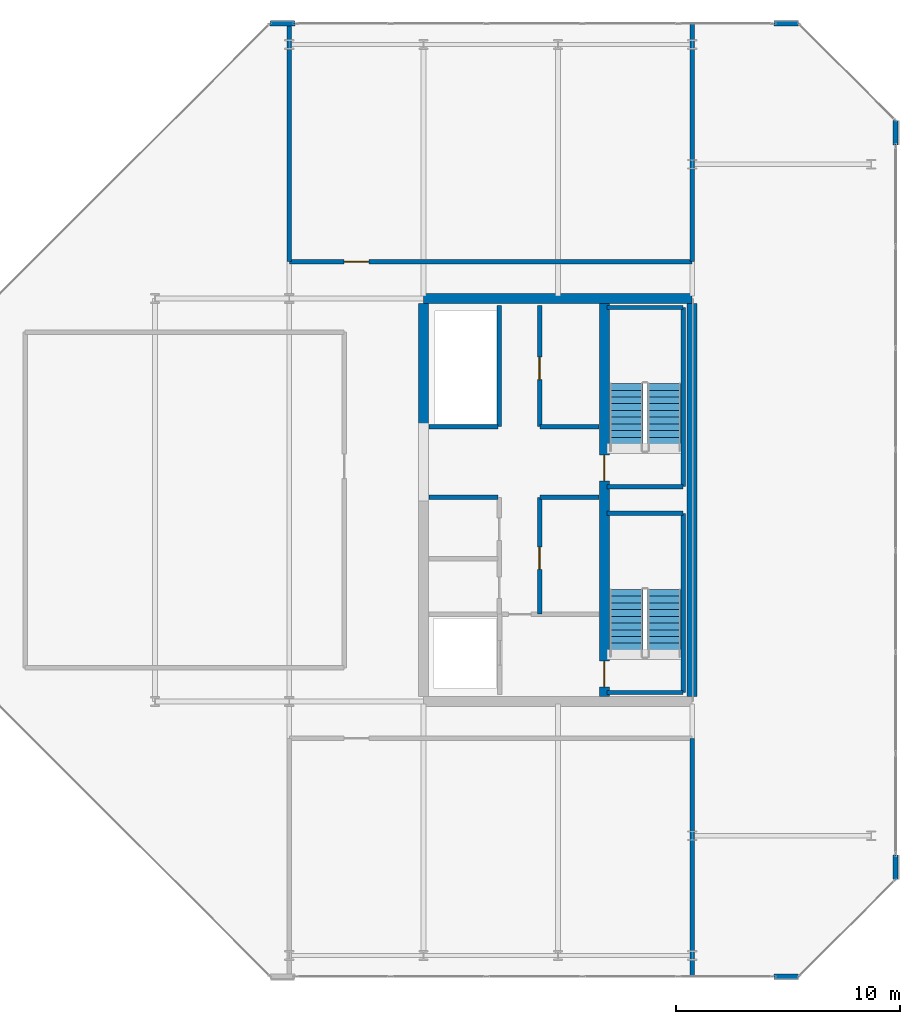
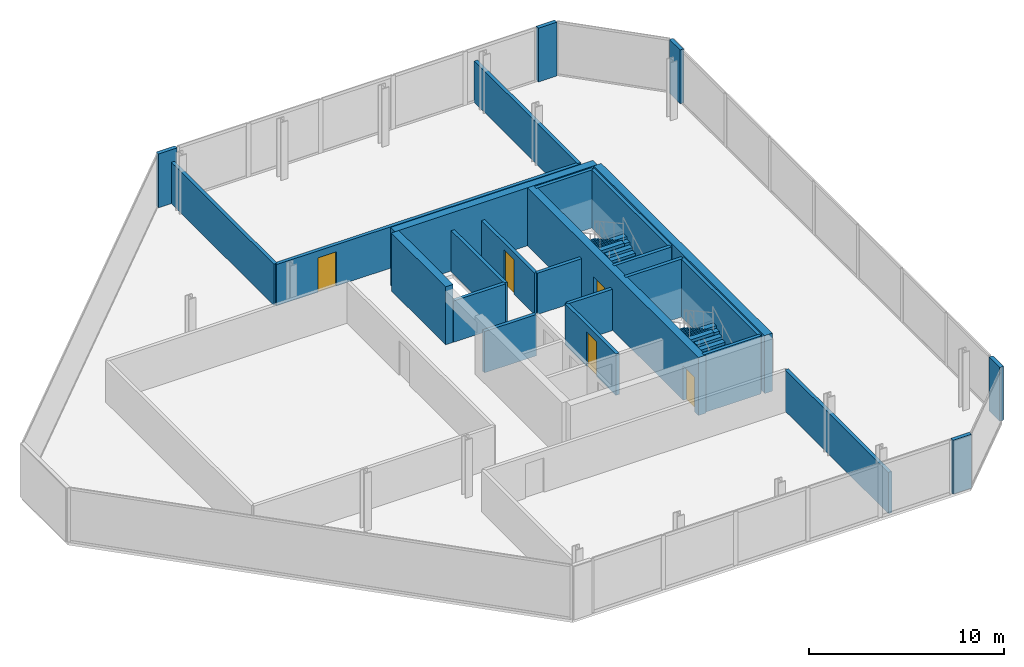
# One storey, part 14 of 16: 26 walls, 5 doors, 4 stair flights, 5 openings, 2 elements without a shape of their own.
"""IFC4 building model written with IfcOpenShell, lengths in metres."""

from ifc_helpers import new_model, si_unit, direction, frame, frame_2d, origin, place, context, subcontext, project, spatial, polyline, rectangle, outline, extrude, material, layer, layer_set, type_object, element, fill, aggregate, save


model = new_model("IFC4")

# Units and contexts
model_context = context("Model", 3, precision=1e-05, world=origin(), true_north=direction((0.0, 1.0)))
body_context = subcontext(model_context, "Body", "Model", "MODEL_VIEW")
ifc_project = project(units=[si_unit("LENGTHUNIT", "METRE"), si_unit("AREAUNIT", "SQUARE_METRE"), si_unit("VOLUMEUNIT", "CUBIC_METRE"), si_unit("PLANEANGLEUNIT", "RADIAN"), si_unit("MASSUNIT", "GRAM", prefix="KILO")], contexts=[model_context])

# Site, building, storey
site_placement = place(None, origin())
site = spatial("IfcSite", under=ifc_project, at=site_placement, CompositionType="ELEMENT")
building_placement = place(site_placement, origin())
building = spatial("IfcBuilding", under=site, at=building_placement, Name="Tanjung Sevakor Pilgrim Tower", CompositionType="ELEMENT")
storey_placement = place(building_placement, frame((0.0, 0.0, 275.219970703125)))
storey = spatial("IfcBuildingStorey", under=building, at=storey_placement, Name="L77", CompositionType="ELEMENT", Elevation=275.219970703125)

# Walls
ifc_material_1 = material(Name="Concrete C60/75", Category="concrete")
ifc_layer_1 = layer(ifc_material_1, 0.449951171875)
ifc_layer_set_1 = layer_set([ifc_layer_1], Name="WALL-CW-450")
wall_type_1 = type_object("IfcWallType", Name="WALL-CW-450", PredefinedType="SHEAR", material=ifc_layer_set_1)
wall_1_placement = place(storey_placement, frame((90.0, 42.60009765625, 0.0), z_axis=(0.0, 0.0, 1.0), x_axis=(-1.0, 0.0, 0.0)))
element("IfcWall", 1, at=wall_1_placement, inside=storey, type_object=wall_type_1, Name="L77 E Core North Shear Wall", PredefinedType="SHEAR", context=body_context, shape_type="SweptSolid", body=[
    extrude(rectangle(XDim=12.0, YDim=0.449951171875, at=frame_2d((6.0, 0.0))), origin(), (0.0, 0.0, 1.0), 3.630126953125),
])
wall_2_placement = place(storey_placement, frame((90.0, 24.824951171875, 0.0), z_axis=(0.0, 0.0, 1.0), x_axis=(0.0, 1.0, 0.0)))
element("IfcWall", 2, at=wall_2_placement, inside=storey, type_object=wall_type_1, Name="L77 E Core Outer Shear Wall", PredefinedType="SHEAR", context=body_context, shape_type="SweptSolid", body=[
    extrude(rectangle(XDim=17.550048828125, YDim=0.449951171875, at=frame_2d((8.77490234375, 0.0))), origin(), (0.0, 0.0, 1.0), 3.630126953125),
])
wall_3_placement = place(storey_placement, frame((78.0, 36.800048828125, 0.0), z_axis=(0.0, 0.0, 1.0), x_axis=(0.0, 1.0, 0.0)))
element("IfcWall", 3, at=wall_3_placement, inside=storey, type_object=wall_type_1, Name="L77 E Core Inner Shear Wall North", PredefinedType="SHEAR", context=body_context, shape_type="SweptSolid", body=[
    extrude(rectangle(XDim=5.574951171875, YDim=0.449951171875, at=frame_2d((2.78759765625, 0.0))), origin(), (0.0, 0.0, 1.0), 3.630126953125),
])

# Wall, openings, doors
wall_4_placement = place(storey_placement, frame((86.074951171875, 24.824951171875, 0.0), z_axis=(0.0, 0.0, 1.0), x_axis=(0.0, 1.0, 0.0)))
wall_4 = element("IfcWall", 4, at=wall_4_placement, inside=storey, type_object=wall_type_1, Name="L77 E Core Stair Spine Wall", PredefinedType="SHEAR", context=body_context, shape_type="SweptSolid", body=[
    extrude(rectangle(XDim=17.550048828125, YDim=0.449951171875, at=frame_2d((8.77490234375, 0.0))), origin(), (0.0, 0.0, 1.0), 3.630126953125),
])
opening_1_placement = place(wall_4_placement, frame((0.425048828125, 0.0, 0.0)))
opening_1 = element("IfcOpeningElement", 5, at=opening_1_placement, cuts=wall_4, Name="Opening ID-ST1", PredefinedType="OPENING", context=body_context, shape_type="SweptSolid", body=[
    extrude(rectangle(XDim=1.14990234375, YDim=2.14990234375, at=frame_2d((0.574951171875, 1.074951171875))), frame((0.0, 0.23486328125, 0.0), z_axis=(0.0, -1.0, 0.0), x_axis=(1.0, 0.0, 0.0)), (0.0, 0.0, 1.0), 0.469970703125),
])
opening_2_placement = place(wall_4_placement, frame((9.625, 0.0, 0.0)))
opening_2 = element("IfcOpeningElement", 6, at=opening_2_placement, cuts=wall_4, Name="Opening ID-ST1", PredefinedType="OPENING", context=body_context, shape_type="SweptSolid", body=[
    extrude(rectangle(XDim=1.14990234375, YDim=2.14990234375, at=frame_2d((0.574951171875, 1.074951171875))), frame((0.0, 0.23486328125, 0.0), z_axis=(0.0, -1.0, 0.0), x_axis=(1.0, 0.0, 0.0)), (0.0, 0.0, 1.0), 0.469970703125),
])
ifc_material_2 = material(Name="Fire-Rated Steel S355J2", Category="steel")
door_type_1 = type_object("IfcDoorType", Name="DT-FIRE-1150", OperationType="NOTDEFINED", PredefinedType="DOOR", material=ifc_material_2)
door_1_placement = place(opening_1_placement, origin())
door_1 = element("IfcDoor", 7, at=door_1_placement, inside=storey, type_object=door_type_1, Name="L77 TS-E1 Stair Fire Door", OperationType="SINGLE_SWING_LEFT", OverallHeight=2.14990234375, OverallWidth=1.14990234375, PredefinedType="DOOR", context=body_context, shape_type="SweptSolid", body=[
    extrude(rectangle(XDim=1.14990234375, YDim=2.14990234375, at=frame_2d((0.574951171875, 1.074951171875))), frame((0.0, 0.02490234375, 0.0), z_axis=(0.0, -1.0, 0.0), x_axis=(1.0, 0.0, 0.0)), (0.0, 0.0, 1.0), 0.050048828125),
])
fill(opening_1, door_1)
door_2_placement = place(opening_2_placement, origin())
door_2 = element("IfcDoor", 8, at=door_2_placement, inside=storey, type_object=door_type_1, Name="L77 TS-E2 Stair Fire Door", OperationType="SINGLE_SWING_RIGHT", OverallHeight=2.14990234375, OverallWidth=1.14990234375, PredefinedType="DOOR", context=body_context, shape_type="SweptSolid", body=[
    extrude(rectangle(XDim=1.14990234375, YDim=2.14990234375, at=frame_2d((0.574951171875, 1.074951171875))), frame((0.0, 0.02490234375, 0.0), z_axis=(0.0, -1.0, 0.0), x_axis=(1.0, 0.0, 0.0)), (0.0, 0.0, 1.0), 0.050048828125),
])
fill(opening_2, door_2)

# Walls
ifc_material_3 = material(Name="Precast concrete C45/55", Category="concrete")
ifc_layer_2 = layer(ifc_material_3, 0.219970703125)
ifc_layer_set_2 = layer_set([ifc_layer_2], Name="WT-EW-STN4")
wall_type_2 = type_object("IfcWallType", Name="WT-EW-STN4", PredefinedType="SOLIDWALL", material=ifc_layer_set_2)
for number, where, z_axis, x_axis, name in (
    (9, (93.654296875, 12.31005859375, 0.0), (0.0, 0.0, 1.0), (1.0, 0.0, 0.0), "L77 EAST Crown Pier 0-1B"),
    (10, (99.090087890625, 16.6455078125, 0.0), (0.0, 0.0, 1.0), (0.0, 1.0, 0.0), "L77 EAST Crown Pier 2-1A"),
    (11, (99.090087890625, 49.454345703125, 0.0), (0.0, 0.0, 1.0), (0.0, 1.0, 0.0), "L77 EAST Crown Pier 2-1B"),
    (12, (94.75439453125, 54.889892578125, 0.0), (0.0, 0.0, 1.0), (-1.0, 0.0, 0.0), "L77 EAST Crown Pier 4-1A"),
    (13, (72.24560546875, 54.889892578125, 0.0), (0.0, 0.0, 1.0), (-1.0, 0.0, 0.0), "L77 EAST Crown Pier 4-1B"),
):
    element("IfcWall", number, at=place(storey_placement, frame(where, z_axis=z_axis, x_axis=x_axis)), inside=storey, type_object=wall_type_2, Name=name, PredefinedType="SOLIDWALL", context=body_context, shape_type="SweptSolid", body=[
        extrude(rectangle(XDim=1.10009765625, YDim=0.219970703125, at=frame_2d((0.550048828125, 0.0))), origin(), (0.0, 0.0, 1.0), 3.3701171875),
    ])
ifc_material_4 = material(Name="Concrete C40/50", Category="concrete")
ifc_layer_3 = layer(ifc_material_4, 0.199951171875)
ifc_layer_set_3 = layer_set([ifc_layer_3], Name="WT-FIRE-200")
wall_type_3 = type_object("IfcWallType", Name="WT-FIRE-200", PredefinedType="SOLIDWALL", material=ifc_layer_set_3)
wall_5_placement = place(storey_placement, frame((86.199951171875, 25.0, 0.0), z_axis=(0.0, 0.0, 1.0), x_axis=(1.0, 0.0, 0.0)))
element("IfcWall", 14, at=wall_5_placement, inside=storey, type_object=wall_type_3, Name="L77 TS-E1 Shaft Wall 1", PredefinedType="SOLIDWALL", context=body_context, shape_type="SweptSolid", body=[
    extrude(rectangle(XDim=3.400146484375, YDim=0.199951171875, at=frame_2d((1.7001953125, 0.0))), origin(), (0.0, 0.0, 1.0), 3.630126953125),
])
wall_6_placement = place(storey_placement, frame((89.60009765625, 25.0, 0.0), z_axis=(0.0, 0.0, 1.0), x_axis=(0.0, 1.0, 0.0)))
element("IfcWall", 15, at=wall_6_placement, inside=storey, type_object=wall_type_3, Name="L77 TS-E1 Shaft Wall 2", PredefinedType="SOLIDWALL", context=body_context, shape_type="SweptSolid", body=[
    extrude(rectangle(XDim=8.0, YDim=0.199951171875, at=frame_2d((4.0, 0.0))), origin(), (0.0, 0.0, 1.0), 3.630126953125),
])
for number, where, z_axis, x_axis, name in (
    (16, (89.60009765625, 33.0, 0.0), (0.0, 0.0, 1.0), (-1.0, 0.0, 0.0), "L77 TS-E1 Shaft Wall 3"),
    (17, (86.199951171875, 34.199951171875, 0.0), (0.0, 0.0, 1.0), (1.0, 0.0, 0.0), "L77 TS-E2 Shaft Wall 1"),
):
    element("IfcWall", number, at=place(storey_placement, frame(where, z_axis=z_axis, x_axis=x_axis)), inside=storey, type_object=wall_type_3, Name=name, PredefinedType="SOLIDWALL", context=body_context, shape_type="SweptSolid", body=[
        extrude(rectangle(XDim=3.400146484375, YDim=0.199951171875, at=frame_2d((1.7001953125, 0.0))), origin(), (0.0, 0.0, 1.0), 3.630126953125),
    ])
wall_7_placement = place(storey_placement, frame((89.60009765625, 34.199951171875, 0.0), z_axis=(0.0, 0.0, 1.0), x_axis=(0.0, 1.0, 0.0)))
element("IfcWall", 18, at=wall_7_placement, inside=storey, type_object=wall_type_3, Name="L77 TS-E2 Shaft Wall 2", PredefinedType="SOLIDWALL", context=body_context, shape_type="SweptSolid", body=[
    extrude(rectangle(XDim=8.0, YDim=0.199951171875, at=frame_2d((4.0, 0.0))), origin(), (0.0, 0.0, 1.0), 3.630126953125),
])
wall_8_placement = place(storey_placement, frame((89.60009765625, 42.199951171875, 0.0), z_axis=(0.0, 0.0, 1.0), x_axis=(-1.0, 0.0, 0.0)))
element("IfcWall", 19, at=wall_8_placement, inside=storey, type_object=wall_type_3, Name="L77 TS-E2 Shaft Wall 3", PredefinedType="SOLIDWALL", context=body_context, shape_type="SweptSolid", body=[
    extrude(rectangle(XDim=3.400146484375, YDim=0.199951171875, at=frame_2d((1.7001953125, 0.0))), origin(), (0.0, 0.0, 1.0), 3.630126953125),
])
ifc_material_5 = material(Name="Concrete C40/50", Category="concrete")
ifc_layer_4 = layer(ifc_material_5, 0.199951171875)
ifc_layer_set_4 = layer_set([ifc_layer_4], Name="WT-FPRT-200")
wall_type_4 = type_object("IfcWallType", Name="WT-FPRT-200", PredefinedType="SOLIDWALL", material=ifc_layer_set_4)
wall_9_placement = place(storey_placement, frame((83.199951171875, 33.719970703125, 0.0), z_axis=(0.0, 0.0, 1.0), x_axis=(1.0, 0.0, 0.0)))
element("IfcWall", 20, at=wall_9_placement, inside=storey, type_object=wall_type_4, Name="L77 Partition IW-L77-003", PredefinedType="SOLIDWALL", context=body_context, shape_type="SweptSolid", body=[
    extrude(rectangle(XDim=2.630126953125, YDim=0.199951171875, at=frame_2d((1.31494140625, 0.0))), origin(), (0.0, 0.0, 1.0), 2.590087890625),
])

# Wall, opening, door
wall_10_placement = place(storey_placement, frame((83.179931640625, 28.5, 0.0), z_axis=(0.0, 0.0, 1.0), x_axis=(0.0, 1.0, 0.0)))
wall_10 = element("IfcWall", 21, at=wall_10_placement, inside=storey, type_object=wall_type_4, Name="L77 Partition IW-L77-004", PredefinedType="SOLIDWALL", context=body_context, shape_type="SweptSolid", body=[
    extrude(rectangle(XDim=5.219970703125, YDim=0.199951171875, at=frame_2d((2.60986328125, 0.0))), origin(), (0.0, 0.0, 1.0), 2.590087890625),
])
opening_3_placement = place(wall_10_placement, frame((2.0, 0.0, 0.0)))
opening_3 = element("IfcOpeningElement", 22, at=opening_3_placement, cuts=wall_10, Name="Opening ID-FD1", PredefinedType="OPENING", context=body_context, shape_type="SweptSolid", body=[
    extrude(rectangle(XDim=1.0, YDim=2.14990234375, at=frame_2d((0.5, 1.074951171875))), frame((0.0, 0.10986328125, 0.0), z_axis=(0.0, -1.0, 0.0), x_axis=(1.0, 0.0, 0.0)), (0.0, 0.0, 1.0), 0.219970703125),
])
ifc_material_6 = material(Name="Fire-Rated Steel S355J2", Category="steel")
door_type_2 = type_object("IfcDoorType", Name="DT-FIRE-1000", OperationType="NOTDEFINED", PredefinedType="DOOR", material=ifc_material_6)
door_3_placement = place(opening_3_placement, origin())
door_3 = element("IfcDoor", 23, at=door_3_placement, inside=storey, type_object=door_type_2, Name="L77 Core Plant Door", OperationType="SINGLE_SWING_LEFT", OverallHeight=2.14990234375, OverallWidth=1.0, PredefinedType="DOOR", context=body_context, shape_type="SweptSolid", body=[
    extrude(rectangle(XDim=1.0, YDim=2.14990234375, at=frame_2d((0.5, 1.074951171875))), frame((0.0, 0.02490234375, 0.0), z_axis=(0.0, -1.0, 0.0), x_axis=(1.0, 0.0, 0.0)), (0.0, 0.0, 1.0), 0.050048828125),
])
fill(opening_3, door_3)

# Walls
wall_11_placement = place(storey_placement, frame((78.2451171875, 33.719970703125, 0.0), z_axis=(0.0, 0.0, 1.0), x_axis=(1.0, 0.0, 0.0)))
element("IfcWall", 24, at=wall_11_placement, inside=storey, type_object=wall_type_4, Name="L77 Partition IW-L77-006", PredefinedType="SOLIDWALL", context=body_context, shape_type="SweptSolid", body=[
    extrude(rectangle(XDim=3.074951171875, YDim=0.199951171875, at=frame_2d((1.53759765625, 0.0))), origin(), (0.0, 0.0, 1.0), 2.590087890625),
])
wall_12_placement = place(storey_placement, frame((83.199951171875, 36.8798828125, 0.0), z_axis=(0.0, 0.0, 1.0), x_axis=(1.0, 0.0, 0.0)))
element("IfcWall", 25, at=wall_12_placement, inside=storey, type_object=wall_type_4, Name="L77 Partition IW-L77-008", PredefinedType="SOLIDWALL", context=body_context, shape_type="SweptSolid", body=[
    extrude(rectangle(XDim=2.630126953125, YDim=0.199951171875, at=frame_2d((1.31494140625, 0.0))), origin(), (0.0, 0.0, 1.0), 2.590087890625),
])

# Wall, opening, door
wall_13_placement = place(storey_placement, frame((83.179931640625, 36.8798828125, 0.0), z_axis=(0.0, 0.0, 1.0), x_axis=(0.0, 1.0, 0.0)))
wall_13 = element("IfcWall", 26, at=wall_13_placement, inside=storey, type_object=wall_type_4, Name="L77 Partition IW-L77-009", PredefinedType="SOLIDWALL", context=body_context, shape_type="SweptSolid", body=[
    extrude(rectangle(XDim=5.420166015625, YDim=0.199951171875, at=frame_2d((2.7099609375, 0.0))), origin(), (0.0, 0.0, 1.0), 2.590087890625),
])
opening_4_placement = place(wall_13_placement, frame((2.10009765625, 0.0, 0.0)))
opening_4 = element("IfcOpeningElement", 27, at=opening_4_placement, cuts=wall_13, Name="Opening ID-FD1", PredefinedType="OPENING", context=body_context, shape_type="SweptSolid", body=[
    extrude(rectangle(XDim=1.0, YDim=2.14990234375, at=frame_2d((0.5, 1.074951171875))), frame((0.0, 0.10986328125, 0.0), z_axis=(0.0, -1.0, 0.0), x_axis=(1.0, 0.0, 0.0)), (0.0, 0.0, 1.0), 0.219970703125),
])
door_4_placement = place(opening_4_placement, origin())
door_4 = element("IfcDoor", 28, at=door_4_placement, inside=storey, type_object=door_type_2, Name="L77 Core Switchroom Door", OperationType="SINGLE_SWING_RIGHT", OverallHeight=2.14990234375, OverallWidth=1.0, PredefinedType="DOOR", context=body_context, shape_type="SweptSolid", body=[
    extrude(rectangle(XDim=1.0, YDim=2.14990234375, at=frame_2d((0.5, 1.074951171875))), frame((0.0, 0.02490234375, 0.0), z_axis=(0.0, -1.0, 0.0), x_axis=(1.0, 0.0, 0.0)), (0.0, 0.0, 1.0), 0.050048828125),
])
fill(opening_4, door_4)

# Walls
wall_14_placement = place(storey_placement, frame((78.2451171875, 36.8798828125, 0.0), z_axis=(0.0, 0.0, 1.0), x_axis=(1.0, 0.0, 0.0)))
element("IfcWall", 29, at=wall_14_placement, inside=storey, type_object=wall_type_4, Name="L77 Partition IW-L77-010", PredefinedType="SOLIDWALL", context=body_context, shape_type="SweptSolid", body=[
    extrude(rectangle(XDim=3.074951171875, YDim=0.199951171875, at=frame_2d((1.53759765625, 0.0))), origin(), (0.0, 0.0, 1.0), 2.590087890625),
])
wall_15_placement = place(storey_placement, frame((81.3798828125, 36.8798828125, 0.0), z_axis=(0.0, 0.0, 1.0), x_axis=(0.0, 1.0, 0.0)))
element("IfcWall", 30, at=wall_15_placement, inside=storey, type_object=wall_type_4, Name="L77 Partition IW-L77-011", PredefinedType="SOLIDWALL", context=body_context, shape_type="SweptSolid", body=[
    extrude(rectangle(XDim=5.420166015625, YDim=0.199951171875, at=frame_2d((2.7099609375, 0.0))), origin(), (0.0, 0.0, 1.0), 2.590087890625),
])
wall_16_placement = place(storey_placement, frame((90.0, 12.340087890625, 0.0), z_axis=(0.0, 0.0, 1.0), x_axis=(0.0, 1.0, 0.0)))
element("IfcWall", 31, at=wall_16_placement, inside=storey, type_object=wall_type_4, Name="L77 Partition IW-L77-018", PredefinedType="SOLIDWALL", context=body_context, shape_type="SweptSolid", body=[
    extrude(rectangle(XDim=10.60986328125, YDim=0.199951171875, at=frame_2d((5.304931640625, 0.0))), origin(), (0.0, 0.0, 1.0), 2.590087890625),
])

# Wall, opening, door
wall_17_placement = place(storey_placement, frame((72.0, 44.25, 0.0), z_axis=(0.0, 0.0, 1.0), x_axis=(1.0, 0.0, 0.0)))
wall_17 = element("IfcWall", 32, at=wall_17_placement, inside=storey, type_object=wall_type_4, Name="L77 Partition IW-L77-019", PredefinedType="SOLIDWALL", context=body_context, shape_type="SweptSolid", body=[
    extrude(rectangle(XDim=18.0, YDim=0.199951171875, at=frame_2d((9.0, 0.0))), origin(), (0.0, 0.0, 1.0), 2.590087890625),
])
opening_5_placement = place(wall_17_placement, frame((2.449951171875, 0.0, 0.0)))
opening_5 = element("IfcOpeningElement", 33, at=opening_5_placement, cuts=wall_17, Name="Opening ID-FD0", PredefinedType="OPENING", context=body_context, shape_type="SweptSolid", body=[
    extrude(rectangle(XDim=1.10009765625, YDim=2.14990234375, at=frame_2d((0.550048828125, 1.074951171875))), frame((0.0, 0.10986328125, 0.0), z_axis=(0.0, -1.0, 0.0), x_axis=(1.0, 0.0, 0.0)), (0.0, 0.0, 1.0), 0.219970703125),
])
ifc_material_7 = material(Name="Fire-Rated Steel S355J2", Category="steel")
door_type_3 = type_object("IfcDoorType", Name="DT-FIRE-1100", OperationType="NOTDEFINED", PredefinedType="DOOR", material=ifc_material_7)
door_5_placement = place(opening_5_placement, origin())
door_5 = element("IfcDoor", 34, at=door_5_placement, inside=storey, type_object=door_type_3, Name="L77 North Switchroom Door", OperationType="SINGLE_SWING_LEFT", OverallHeight=2.14990234375, OverallWidth=1.10009765625, PredefinedType="DOOR", context=body_context, shape_type="SweptSolid", body=[
    extrude(rectangle(XDim=1.10009765625, YDim=2.14990234375, at=frame_2d((0.550048828125, 1.074951171875))), frame((0.0, 0.02490234375, 0.0), z_axis=(0.0, -1.0, 0.0), x_axis=(1.0, 0.0, 0.0)), (0.0, 0.0, 1.0), 0.050048828125),
])
fill(opening_5, door_5)

# Walls
for number, where, z_axis, x_axis, name in (
    (35, (72.0, 44.25, 0.0), (0.0, 0.0, 1.0), (0.0, 1.0, 0.0), "L77 Partition IW-L77-020"),
    (36, (90.0, 44.25, 0.0), (0.0, 0.0, 1.0), (0.0, 1.0, 0.0), "L77 Partition IW-L77-021"),
):
    element("IfcWall", number, at=place(storey_placement, frame(where, z_axis=z_axis, x_axis=x_axis)), inside=storey, type_object=wall_type_4, Name=name, PredefinedType="SOLIDWALL", context=body_context, shape_type="SweptSolid", body=[
        extrude(rectangle(XDim=10.610107421875, YDim=0.199951171875, at=frame_2d((5.30517578125, 0.0))), origin(), (0.0, 0.0, 1.0), 2.590087890625),
    ])

# Stair, stair flights
ifc_material_8 = material(Name="Concrete C40/50", Category="concrete")
stair_type = type_object("IfcStairType", Name="STAIR-ST-CR150", PredefinedType="HALF_TURN_STAIR", material=ifc_material_8)
stair_1_placement = place(storey_placement, origin())
stair_1 = element("IfcStair", 37, at=stair_1_placement, inside=storey, type_object=stair_type, Name="L77 East Core Exit Stair 1", PredefinedType="HALF_TURN_STAIR")
ifc_material_9 = material(Name="Concrete C40/50", Category="concrete")
stair_flight_type = type_object("IfcStairFlightType", Name="FLIGHT-ST-CR150", PredefinedType="STRAIGHT", material=ifc_material_9)
stair_flight_1_placement = place(storey_placement, frame((88.75, 26.60009765625, 0.0), z_axis=(0.0, 0.0, 1.0), x_axis=(0.0, 1.0, 0.0)))
stair_flight_1 = element("IfcStairFlight", 38, at=stair_flight_1_placement, type_object=stair_flight_type, Name="TS-E1 flight 1", NumberOfRisers=11, NumberOfTreads=10, PredefinedType="STRAIGHT", RiserHeight=0.165, TreadLength=0.3, context=body_context, shape_type="SweptSolid", body=[
    extrude(outline(polyline([(0.0, 0.0), (0.0, 0.1650390625), (0.300048828125, 0.1650390625), (0.300048828125, 0.330078125), (0.60009765625, 0.330078125), (0.60009765625, 0.4951171875), (0.89990234375, 0.4951171875), (0.89990234375, 0.659912109375), (1.199951171875, 0.659912109375), (1.199951171875, 0.824951171875), (1.5, 0.824951171875), (1.5, 0.989990234375), (1.800048828125, 0.989990234375), (1.800048828125, 1.155029296875), (2.10009765625, 1.155029296875), (2.10009765625, 1.320068359375), (2.39990234375, 1.320068359375), (2.39990234375, 1.485107421875), (2.699951171875, 1.485107421875), (2.699951171875, 1.64990234375), (3.0, 1.64990234375), (3.0, 1.81494140625), (3.0, 1.467529296875), (0.331787109375, 0.0), (0.0, 0.0)])), frame((0.0, 0.75, 0.0), z_axis=(0.0, -1.0, 0.0), x_axis=(1.0, 0.0, 0.0)), (0.0, 0.0, 1.0), 1.5),
])
stair_flight_2_placement = place(storey_placement, frame((87.050048828125, 29.60009765625, 1.81494140625), z_axis=(0.0, 0.0, 1.0), x_axis=(0.0, -1.0, 0.0)))
stair_flight_2 = element("IfcStairFlight", 39, at=stair_flight_2_placement, type_object=stair_flight_type, Name="TS-E1 flight 2", NumberOfRisers=11, NumberOfTreads=10, PredefinedType="STRAIGHT", RiserHeight=0.165, TreadLength=0.3, context=body_context, shape_type="SweptSolid", body=[
    extrude(outline(polyline([(0.0, 0.0), (0.0, 0.1650390625), (0.300048828125, 0.1650390625), (0.300048828125, 0.330078125), (0.60009765625, 0.330078125), (0.60009765625, 0.4951171875), (0.89990234375, 0.4951171875), (0.89990234375, 0.659912109375), (1.199951171875, 0.659912109375), (1.199951171875, 0.824951171875), (1.5, 0.824951171875), (1.5, 0.989990234375), (1.800048828125, 0.989990234375), (1.800048828125, 1.155029296875), (2.10009765625, 1.155029296875), (2.10009765625, 1.320068359375), (2.39990234375, 1.320068359375), (2.39990234375, 1.485107421875), (2.699951171875, 1.485107421875), (2.699951171875, 1.64990234375), (3.0, 1.64990234375), (3.0, 1.81494140625), (3.0, 1.467529296875), (0.331787109375, 0.0), (0.0, 0.0)])), frame((0.0, 0.75, 0.0), z_axis=(0.0, -1.0, 0.0), x_axis=(1.0, 0.0, 0.0)), (0.0, 0.0, 1.0), 1.5),
])
aggregate(stair_1, [stair_flight_1, stair_flight_2])

stair_2_placement = place(storey_placement, origin())
stair_2 = element("IfcStair", 40, at=stair_2_placement, inside=storey, type_object=stair_type, Name="L77 East Core Exit Stair 2", PredefinedType="HALF_TURN_STAIR")
stair_flight_3_placement = place(storey_placement, frame((88.75, 35.800048828125, 0.0), z_axis=(0.0, 0.0, 1.0), x_axis=(0.0, 1.0, 0.0)))
stair_flight_3 = element("IfcStairFlight", 41, at=stair_flight_3_placement, type_object=stair_flight_type, Name="TS-E2 flight 1", NumberOfRisers=11, NumberOfTreads=10, PredefinedType="STRAIGHT", RiserHeight=0.165, TreadLength=0.3, context=body_context, shape_type="SweptSolid", body=[
    extrude(outline(polyline([(0.0, 0.0), (0.0, 0.1650390625), (0.300048828125, 0.1650390625), (0.300048828125, 0.330078125), (0.60009765625, 0.330078125), (0.60009765625, 0.4951171875), (0.89990234375, 0.4951171875), (0.89990234375, 0.659912109375), (1.199951171875, 0.659912109375), (1.199951171875, 0.824951171875), (1.5, 0.824951171875), (1.5, 0.989990234375), (1.800048828125, 0.989990234375), (1.800048828125, 1.155029296875), (2.10009765625, 1.155029296875), (2.10009765625, 1.320068359375), (2.39990234375, 1.320068359375), (2.39990234375, 1.485107421875), (2.699951171875, 1.485107421875), (2.699951171875, 1.64990234375), (3.0, 1.64990234375), (3.0, 1.81494140625), (3.0, 1.467529296875), (0.331787109375, 0.0), (0.0, 0.0)])), frame((0.0, 0.75, 0.0), z_axis=(0.0, -1.0, 0.0), x_axis=(1.0, 0.0, 0.0)), (0.0, 0.0, 1.0), 1.5),
])
stair_flight_4_placement = place(storey_placement, frame((87.050048828125, 38.800048828125, 1.81494140625), z_axis=(0.0, 0.0, 1.0), x_axis=(0.0, -1.0, 0.0)))
stair_flight_4 = element("IfcStairFlight", 42, at=stair_flight_4_placement, type_object=stair_flight_type, Name="TS-E2 flight 2", NumberOfRisers=11, NumberOfTreads=10, PredefinedType="STRAIGHT", RiserHeight=0.165, TreadLength=0.3, context=body_context, shape_type="SweptSolid", body=[
    extrude(outline(polyline([(0.0, 0.0), (0.0, 0.1650390625), (0.300048828125, 0.1650390625), (0.300048828125, 0.330078125), (0.60009765625, 0.330078125), (0.60009765625, 0.4951171875), (0.89990234375, 0.4951171875), (0.89990234375, 0.659912109375), (1.199951171875, 0.659912109375), (1.199951171875, 0.824951171875), (1.5, 0.824951171875), (1.5, 0.989990234375), (1.800048828125, 0.989990234375), (1.800048828125, 1.155029296875), (2.10009765625, 1.155029296875), (2.10009765625, 1.320068359375), (2.39990234375, 1.320068359375), (2.39990234375, 1.485107421875), (2.699951171875, 1.485107421875), (2.699951171875, 1.64990234375), (3.0, 1.64990234375), (3.0, 1.81494140625), (3.0, 1.467529296875), (0.331787109375, 0.0), (0.0, 0.0)])), frame((0.0, 0.75, 0.0), z_axis=(0.0, -1.0, 0.0), x_axis=(1.0, 0.0, 0.0)), (0.0, 0.0, 1.0), 1.5),
])
aggregate(stair_2, [stair_flight_3, stair_flight_4])

save(model, "model.ifc")
